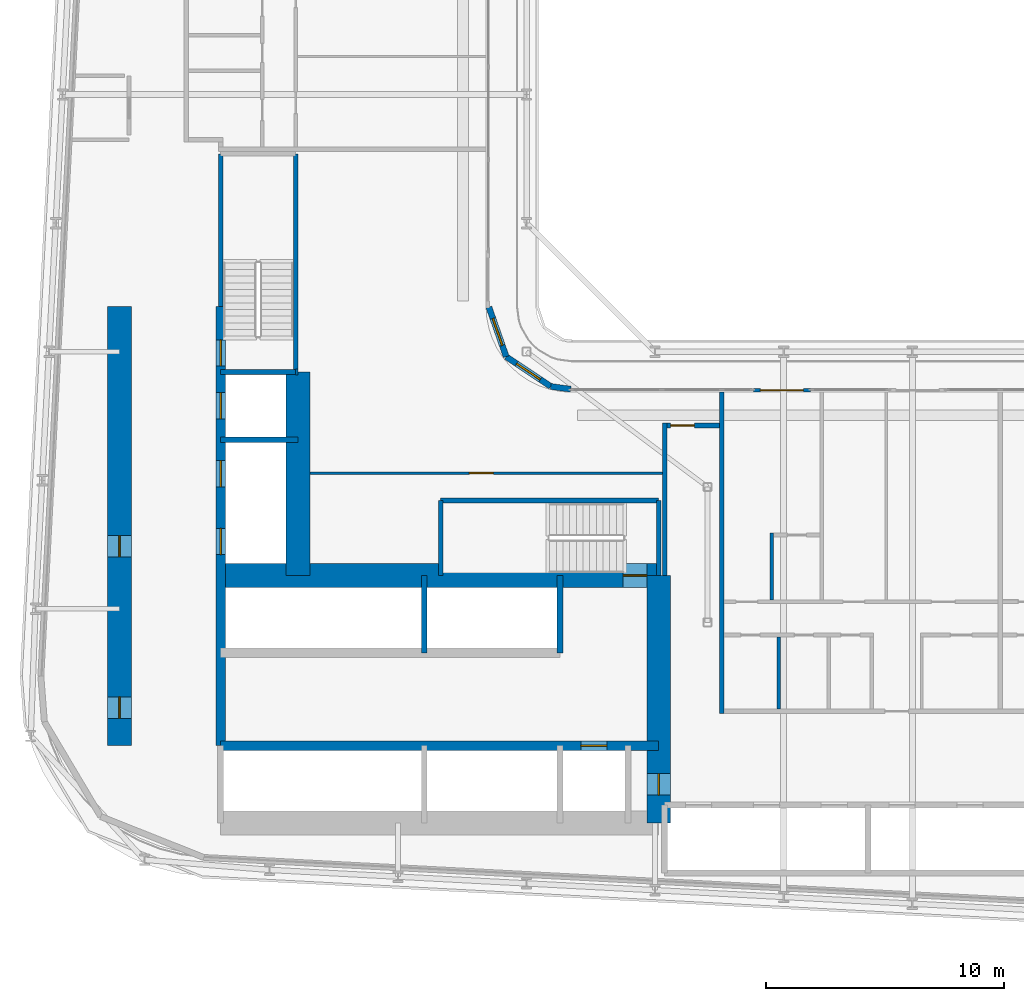
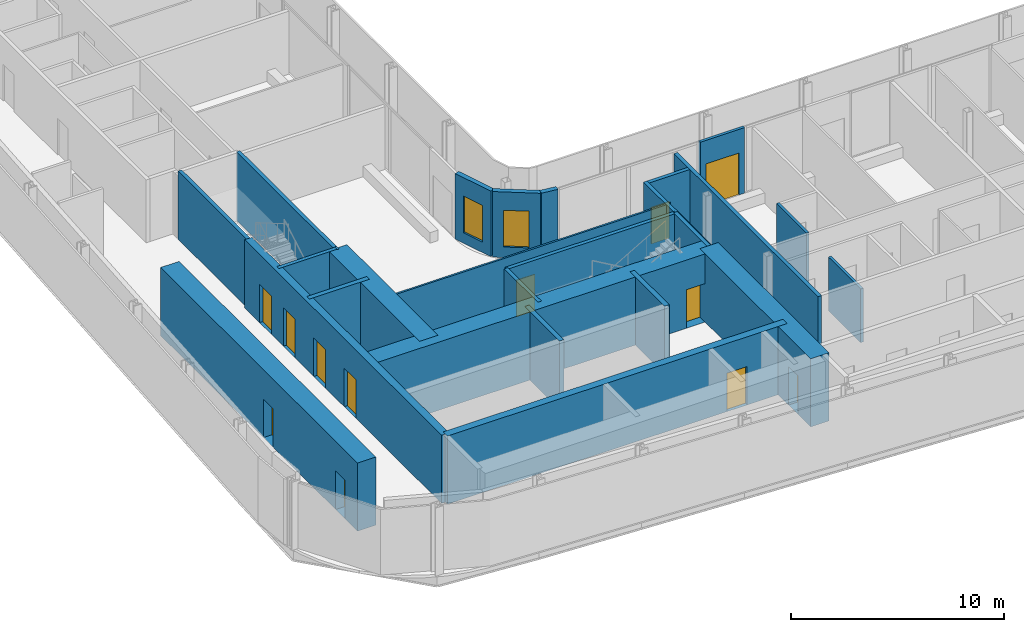
# One storey, part 13 of 28: 26 walls, 12 doors, 2 windows, 14 openings.
"""IFC4 building model written with IfcOpenShell, lengths in metres."""

from ifc_helpers import new_model, si_unit, direction, frame, frame_2d, origin, place, context, subcontext, project, spatial, rectangle, extrude, source, transform, mapped, material, layer, layer_set, type_object, element, fill, save


model = new_model("IFC4")

# Units and contexts
model_context = context("Model", 3, precision=1e-05, world=origin(), true_north=direction((0.0, 1.0)))
body_context = subcontext(model_context, "Body", "Model", "MODEL_VIEW")
ifc_project = project(units=[si_unit("LENGTHUNIT", "METRE"), si_unit("AREAUNIT", "SQUARE_METRE"), si_unit("VOLUMEUNIT", "CUBIC_METRE"), si_unit("PLANEANGLEUNIT", "RADIAN"), si_unit("MASSUNIT", "GRAM", prefix="KILO")], contexts=[model_context])

# Site, building, storey
site_placement = place(None, origin())
site = spatial("IfcSite", under=ifc_project, at=site_placement, CompositionType="ELEMENT")
building_placement = place(site_placement, origin())
building = spatial("IfcBuilding", under=site, at=building_placement, Name="Kheshtan School and Residences Tower", CompositionType="ELEMENT")
storey_placement = place(building_placement, frame((0.0, 0.0, 73.39990234375)))
storey = spatial("IfcBuildingStorey", under=building, at=storey_placement, Name="L17", CompositionType="ELEMENT", Elevation=73.39990234375)

# Wall, opening, door
ifc_material_1 = material(Name="Concrete C80/95", Category="concrete")
ifc_layer_1 = layer(ifc_material_1, 1.0)
ifc_layer_set_1 = layer_set([ifc_layer_1], Name="Core wall 1000 Concrete C80/95")
wall_type_1 = type_object("IfcWallType", Name="Core wall 1000 Concrete C80/95", PredefinedType="SHEAR", material=ifc_layer_set_1)
wall_1_placement = place(storey_placement, frame((34.75, 36.199951171875, 0.0), z_axis=(0.0, 0.0, 1.0), x_axis=(1.0, 0.0, 0.0)))
wall_1 = element("IfcWall", 1, at=wall_1_placement, inside=storey, type_object=wall_type_1, Name="Core wall CW-FRONT-S", PredefinedType="SHEAR", context=body_context, shape_type="SweptSolid", body=[
    extrude(rectangle(XDim=18.39990234375, YDim=1.0, at=frame_2d((9.199951171875, 0.0))), origin(), (0.0, 0.0, 1.0), 3.900146484375),
])
opening_1_placement = place(wall_1_placement, frame((16.89990234375, 0.0, 0.0)))
opening_1 = element("IfcOpeningElement", 2, at=opening_1_placement, cuts=wall_1, Name="Opening ST1D", PredefinedType="OPENING", context=body_context, shape_type="SweptSolid", body=[
    extrude(rectangle(XDim=1.0, YDim=2.199951171875, at=frame_2d((0.5, 1.10009765625))), frame((0.0, 0.510009765625, 0.0), z_axis=(0.0, -1.0, 0.0), x_axis=(1.0, 0.0, 0.0)), (0.0, 0.0, 1.0), 1.02001953125),
])
ifc_material_2 = material(Name="Steel door leaf, galvanised", Category="steel")
door_type_1 = type_object("IfcDoorType", Name="Stair door 1100 steel 90 min", OperationType="SINGLE_SWING_LEFT", PredefinedType="DOOR", material=ifc_material_2)
shared_shape_1 = source(origin(), body_context, "Body", "SweptSolid", [
    extrude(rectangle(XDim=1.0, YDim=2.199951171875, at=frame_2d((0.5, 1.10009765625))), frame((0.0, 0.02490234375, 0.0), z_axis=(0.0, -1.0, 0.0), x_axis=(1.0, 0.0, 0.0)), (0.0, 0.0, 1.0), 0.050048828125),
])
door_1_placement = place(opening_1_placement, origin())
door_1 = element("IfcDoor", 3, at=door_1_placement, inside=storey, type_object=door_type_1, Name="Stair ST1 door", OperationType="SINGLE_SWING_RIGHT", OverallHeight=2.199951171875, OverallWidth=1.0, PredefinedType="DOOR", context=body_context, shape_type="MappedRepresentation", body=[
    mapped(shared_shape_1, transform((0.0, 0.0, 0.0), x_axis=(1.0, 0.0, 0.0), y_axis=(0.0, 1.0, 0.0), z_axis=(0.0, 0.0, 1.0), scale=1.0)),
])
fill(opening_1, door_1)

# Wall
wall_2_placement = place(storey_placement, frame((38.0, 36.199951171875, 0.0), z_axis=(0.0, 0.0, 1.0), x_axis=(0.0, 1.0, 0.0)))
element("IfcWall", 4, at=wall_2_placement, inside=storey, type_object=wall_type_1, Name="Core wall CW-FRONT-W", PredefinedType="SHEAR", context=body_context, shape_type="SweptSolid", body=[
    extrude(rectangle(XDim=8.550048828125, YDim=1.0, at=frame_2d((4.27490234375, 0.0))), origin(), (0.0, 0.0, 1.0), 3.900146484375),
])

# Wall, openings, doors
wall_3_placement = place(storey_placement, frame((30.5, 29.050048828125, 0.0), z_axis=(0.0, 0.0, 1.0), x_axis=(0.0, 1.0, 0.0)))
wall_3 = element("IfcWall", 5, at=wall_3_placement, inside=storey, type_object=wall_type_1, Name="Core wall CW-REAR-W", PredefinedType="SHEAR", context=body_context, shape_type="SweptSolid", body=[
    extrude(rectangle(XDim=18.449951171875, YDim=1.0, at=frame_2d((9.22509765625, 0.0))), origin(), (0.0, 0.0, 1.0), 3.900146484375),
])
opening_2_placement = place(wall_3_placement, frame((1.14697265625, 0.0, 0.0)))
opening_2 = element("IfcOpeningElement", 6, at=opening_2_placement, cuts=wall_3, Name="Opening SR90", PredefinedType="OPENING", context=body_context, shape_type="SweptSolid", body=[
    extrude(rectangle(XDim=0.89990234375, YDim=2.199951171875, at=frame_2d((0.449951171875, 1.10009765625))), frame((0.0, 0.510009765625, 0.0), z_axis=(0.0, -1.0, 0.0), x_axis=(1.0, 0.0, 0.0)), (0.0, 0.0, 1.0), 1.02001953125),
])
opening_3_placement = place(wall_3_placement, frame((7.925048828125, 0.0, 0.0)))
opening_3 = element("IfcOpeningElement", 7, at=opening_3_placement, cuts=wall_3, Name="Opening SR90", PredefinedType="OPENING", context=body_context, shape_type="SweptSolid", body=[
    extrude(rectangle(XDim=0.89990234375, YDim=2.199951171875, at=frame_2d((0.449951171875, 1.10009765625))), frame((0.0, 0.510009765625, 0.0), z_axis=(0.0, -1.0, 0.0), x_axis=(1.0, 0.0, 0.0)), (0.0, 0.0, 1.0), 1.02001953125),
])
door_type_2 = type_object("IfcDoorType", Name="Service room door 900 steel 90 min", OperationType="SINGLE_SWING_LEFT", PredefinedType="DOOR", material=ifc_material_2)
shared_shape_2 = source(origin(), body_context, "Body", "SweptSolid", [
    extrude(rectangle(XDim=0.89990234375, YDim=2.199951171875, at=frame_2d((0.449951171875, 1.10009765625))), frame((0.0, 0.02490234375, 0.0), z_axis=(0.0, -1.0, 0.0), x_axis=(1.0, 0.0, 0.0)), (0.0, 0.0, 1.0), 0.050048828125),
])
door_2_placement = place(opening_2_placement, origin())
door_2 = element("IfcDoor", 8, at=door_2_placement, inside=storey, type_object=door_type_2, Name="Service room door", OperationType="SINGLE_SWING_LEFT", OverallHeight=2.199951171875, OverallWidth=0.89990234375, PredefinedType="DOOR", context=body_context, shape_type="MappedRepresentation", body=[
    mapped(shared_shape_2, transform((0.0, 0.0, 0.0), x_axis=(1.0, 0.0, 0.0), y_axis=(0.0, 1.0, 0.0), z_axis=(0.0, 0.0, 1.0), scale=1.0)),
])
fill(opening_2, door_2)
door_3_placement = place(opening_3_placement, origin())
door_3 = element("IfcDoor", 9, at=door_3_placement, inside=storey, type_object=door_type_2, Name="Service room door", OperationType="SINGLE_SWING_LEFT", OverallHeight=2.199951171875, OverallWidth=0.89990234375, PredefinedType="DOOR", context=body_context, shape_type="MappedRepresentation", body=[
    mapped(shared_shape_2, transform((0.0, 0.0, 0.0), x_axis=(1.0, 0.0, 0.0), y_axis=(0.0, 1.0, 0.0), z_axis=(0.0, 0.0, 1.0), scale=1.0)),
])
fill(opening_3, door_3)

# Wall, opening, door
wall_4_placement = place(storey_placement, frame((53.14990234375, 25.800048828125, 0.0), z_axis=(0.0, 0.0, 1.0), x_axis=(0.0, 1.0, 0.0)))
wall_4 = element("IfcWall", 10, at=wall_4_placement, inside=storey, type_object=wall_type_1, Name="Core wall CW-EAST", PredefinedType="SHEAR", context=body_context, shape_type="SweptSolid", body=[
    extrude(rectangle(XDim=10.39990234375, YDim=1.0, at=frame_2d((5.199951171875, 0.0))), origin(), (0.0, 0.0, 1.0), 3.900146484375),
])
opening_4_placement = place(wall_4_placement, frame((1.175048828125, 0.0, 0.0)))
opening_4 = element("IfcOpeningElement", 11, at=opening_4_placement, cuts=wall_4, Name="Opening SR90", PredefinedType="OPENING", context=body_context, shape_type="SweptSolid", body=[
    extrude(rectangle(XDim=0.89990234375, YDim=2.199951171875, at=frame_2d((0.449951171875, 1.10009765625))), frame((0.0, 0.510009765625, 0.0), z_axis=(0.0, -1.0, 0.0), x_axis=(1.0, 0.0, 0.0)), (0.0, 0.0, 1.0), 1.02001953125),
])
door_4_placement = place(opening_4_placement, origin())
door_4 = element("IfcDoor", 12, at=door_4_placement, inside=storey, type_object=door_type_2, Name="Service room door", OperationType="SINGLE_SWING_RIGHT", OverallHeight=2.199951171875, OverallWidth=0.89990234375, PredefinedType="DOOR", context=body_context, shape_type="MappedRepresentation", body=[
    mapped(shared_shape_2, transform((0.0, 0.0, 0.0), x_axis=(1.0, 0.0, 0.0), y_axis=(0.0, 1.0, 0.0), z_axis=(0.0, 0.0, 1.0), scale=1.0)),
])
fill(opening_4, door_4)

ifc_material_3 = material(Name="Concrete C50/60", Category="concrete")
ifc_layer_2 = layer(ifc_material_3, 0.39990234375)
ifc_layer_set_2 = layer_set([ifc_layer_2], Name="Core wall 400 Concrete C50/60")
wall_type_2 = type_object("IfcWallType", Name="Core wall 400 Concrete C50/60", PredefinedType="SHEAR", material=ifc_layer_set_2)
wall_5_placement = place(storey_placement, frame((34.75, 29.050048828125, 0.0), z_axis=(0.0, 0.0, 1.0), x_axis=(1.0, 0.0, 0.0)))
wall_5 = element("IfcWall", 13, at=wall_5_placement, inside=storey, type_object=wall_type_2, Name="Core wall CW-HALL-S1", PredefinedType="SHEAR", context=body_context, shape_type="SweptSolid", body=[
    extrude(rectangle(XDim=18.39990234375, YDim=0.39990234375, at=frame_2d((9.199951171875, 0.0))), origin(), (0.0, 0.0, 1.0), 3.900146484375),
])
opening_5_placement = place(wall_5_placement, frame((15.125, 0.0, 0.0)))
opening_5 = element("IfcOpeningElement", 14, at=opening_5_placement, cuts=wall_5, Name="Opening LD", PredefinedType="OPENING", context=body_context, shape_type="SweptSolid", body=[
    extrude(rectangle(XDim=1.10009765625, YDim=2.199951171875, at=frame_2d((0.550048828125, 1.10009765625))), frame((0.0, 0.2099609375, 0.0), z_axis=(0.0, -1.0, 0.0), x_axis=(1.0, 0.0, 0.0)), (0.0, 0.0, 1.0), 0.419921875),
])
ifc_material_4 = material(Name="Stainless steel door leaves", Category="steel")
door_type_3 = type_object("IfcDoorType", Name="Lift landing door 1100", OperationType="SLIDING_TO_LEFT", PredefinedType="DOOR", material=ifc_material_4)
shared_shape_3 = source(origin(), body_context, "Body", "SweptSolid", [
    extrude(rectangle(XDim=1.10009765625, YDim=2.199951171875, at=frame_2d((0.550048828125, 1.10009765625))), frame((0.0, 0.02490234375, 0.0), z_axis=(0.0, -1.0, 0.0), x_axis=(1.0, 0.0, 0.0)), (0.0, 0.0, 1.0), 0.050048828125),
])
door_5_placement = place(opening_5_placement, origin())
door_5 = element("IfcDoor", 15, at=door_5_placement, inside=storey, type_object=door_type_3, Name="Lift FFL2 landing door", OperationType="SLIDING_TO_LEFT", OverallHeight=2.199951171875, OverallWidth=1.10009765625, PredefinedType="DOOR", context=body_context, shape_type="MappedRepresentation", body=[
    mapped(shared_shape_3, transform((0.0, 0.0, 0.0), x_axis=(1.0, 0.0, 0.0), y_axis=(0.0, 1.0, 0.0), z_axis=(0.0, 0.0, 1.0), scale=1.0)),
])
fill(opening_5, door_5)

# Wall, openings, doors
wall_6_placement = place(storey_placement, frame((34.75, 29.050048828125, 0.0), z_axis=(0.0, 0.0, 1.0), x_axis=(0.0, 1.0, 0.0)))
wall_6 = element("IfcWall", 16, at=wall_6_placement, inside=storey, type_object=wall_type_2, Name="Core wall CW-HALL-W1", PredefinedType="SHEAR", context=body_context, shape_type="SweptSolid", body=[
    extrude(rectangle(XDim=18.449951171875, YDim=0.39990234375, at=frame_2d((9.22509765625, 0.0))), origin(), (0.0, 0.0, 1.0), 3.900146484375),
])
opening_6_placement = place(wall_6_placement, frame((8.02490234375, 0.0, 0.0)))
opening_6 = element("IfcOpeningElement", 17, at=opening_6_placement, cuts=wall_6, Name="Opening LD", PredefinedType="OPENING", context=body_context, shape_type="SweptSolid", body=[
    extrude(rectangle(XDim=1.10009765625, YDim=2.199951171875, at=frame_2d((0.550048828125, 1.10009765625))), frame((0.0, 0.2099609375, 0.0), z_axis=(0.0, -1.0, 0.0), x_axis=(1.0, 0.0, 0.0)), (0.0, 0.0, 1.0), 0.419921875),
])
opening_7_placement = place(wall_6_placement, frame((10.875, 0.0, 0.0)))
opening_7 = element("IfcOpeningElement", 18, at=opening_7_placement, cuts=wall_6, Name="Opening LD", PredefinedType="OPENING", context=body_context, shape_type="SweptSolid", body=[
    extrude(rectangle(XDim=1.10009765625, YDim=2.199951171875, at=frame_2d((0.550048828125, 1.10009765625))), frame((0.0, 0.2099609375, 0.0), z_axis=(0.0, -1.0, 0.0), x_axis=(1.0, 0.0, 0.0)), (0.0, 0.0, 1.0), 0.419921875),
])
opening_8_placement = place(wall_6_placement, frame((13.72509765625, 0.0, 0.0)))
opening_8 = element("IfcOpeningElement", 19, at=opening_8_placement, cuts=wall_6, Name="Opening LD", PredefinedType="OPENING", context=body_context, shape_type="SweptSolid", body=[
    extrude(rectangle(XDim=1.10009765625, YDim=2.199951171875, at=frame_2d((0.550048828125, 1.10009765625))), frame((0.0, 0.2099609375, 0.0), z_axis=(0.0, -1.0, 0.0), x_axis=(1.0, 0.0, 0.0)), (0.0, 0.0, 1.0), 0.419921875),
])
opening_9_placement = place(wall_6_placement, frame((15.949951171875, 0.0, 0.0)))
opening_9 = element("IfcOpeningElement", 20, at=opening_9_placement, cuts=wall_6, Name="Opening ST2D", PredefinedType="OPENING", context=body_context, shape_type="SweptSolid", body=[
    extrude(rectangle(XDim=1.10009765625, YDim=2.199951171875, at=frame_2d((0.550048828125, 1.10009765625))), frame((0.0, 0.2099609375, 0.0), z_axis=(0.0, -1.0, 0.0), x_axis=(1.0, 0.0, 0.0)), (0.0, 0.0, 1.0), 0.419921875),
])
door_6_placement = place(opening_6_placement, origin())
door_6 = element("IfcDoor", 21, at=door_6_placement, inside=storey, type_object=door_type_3, Name="Lift SV1 landing door", OperationType="SLIDING_TO_LEFT", OverallHeight=2.199951171875, OverallWidth=1.10009765625, PredefinedType="DOOR", context=body_context, shape_type="MappedRepresentation", body=[
    mapped(shared_shape_3, transform((0.0, 0.0, 0.0), x_axis=(1.0, 0.0, 0.0), y_axis=(0.0, 1.0, 0.0), z_axis=(0.0, 0.0, 1.0), scale=1.0)),
])
fill(opening_6, door_6)
door_7_placement = place(opening_7_placement, origin())
door_7 = element("IfcDoor", 22, at=door_7_placement, inside=storey, type_object=door_type_3, Name="Lift SV2 landing door", OperationType="SLIDING_TO_LEFT", OverallHeight=2.199951171875, OverallWidth=1.10009765625, PredefinedType="DOOR", context=body_context, shape_type="MappedRepresentation", body=[
    mapped(shared_shape_3, transform((0.0, 0.0, 0.0), x_axis=(1.0, 0.0, 0.0), y_axis=(0.0, 1.0, 0.0), z_axis=(0.0, 0.0, 1.0), scale=1.0)),
])
fill(opening_7, door_7)
door_8_placement = place(opening_8_placement, origin())
door_8 = element("IfcDoor", 23, at=door_8_placement, inside=storey, type_object=door_type_3, Name="Lift FFL1 landing door", OperationType="SLIDING_TO_LEFT", OverallHeight=2.199951171875, OverallWidth=1.10009765625, PredefinedType="DOOR", context=body_context, shape_type="MappedRepresentation", body=[
    mapped(shared_shape_3, transform((0.0, 0.0, 0.0), x_axis=(1.0, 0.0, 0.0), y_axis=(0.0, 1.0, 0.0), z_axis=(0.0, 0.0, 1.0), scale=1.0)),
])
fill(opening_8, door_8)
shared_shape_4 = source(origin(), body_context, "Body", "SweptSolid", [
    extrude(rectangle(XDim=1.10009765625, YDim=2.199951171875, at=frame_2d((0.550048828125, 1.10009765625))), frame((0.0, 0.02490234375, 0.0), z_axis=(0.0, -1.0, 0.0), x_axis=(1.0, 0.0, 0.0)), (0.0, 0.0, 1.0), 0.050048828125),
])
door_9_placement = place(opening_9_placement, origin())
door_9 = element("IfcDoor", 24, at=door_9_placement, inside=storey, type_object=door_type_1, Name="Stair ST2 door", OperationType="SINGLE_SWING_RIGHT", OverallHeight=2.199951171875, OverallWidth=1.10009765625, PredefinedType="DOOR", context=body_context, shape_type="MappedRepresentation", body=[
    mapped(shared_shape_4, transform((0.0, 0.0, 0.0), x_axis=(1.0, 0.0, 0.0), y_axis=(0.0, 1.0, 0.0), z_axis=(0.0, 0.0, 1.0), scale=1.0)),
])
fill(opening_9, door_9)

# Wall
ifc_material_5 = material(Name="Gypsum board on steel studs with fire boards", Category="steel")
ifc_layer_3 = layer(ifc_material_5, 0.199951171875)
ifc_layer_set_3 = layer_set([ifc_layer_3], Name="Corridor wall 200")
wall_type_3 = type_object("IfcWallType", Name="Corridor wall 200", PredefinedType="PARTITIONING", material=ifc_layer_set_3)
wall_7_placement = place(storey_placement, frame((53.39990234375, 36.198974609375, 0.0), z_axis=(0.0, 0.0, 1.0), x_axis=(0.0, 1.0, 0.0)))
element("IfcWall", 25, at=wall_7_placement, inside=storey, type_object=wall_type_3, Name="Partition L17-044", PredefinedType="PARTITIONING", context=body_context, shape_type="SweptSolid", body=[
    extrude(rectangle(XDim=6.401123046875, YDim=0.199951171875, at=frame_2d((3.20068359375, 0.0))), origin(), (0.0, 0.0, 1.0), 3.60009765625),
])

# Wall, opening, door
wall_8_placement = place(storey_placement, frame((53.5, 42.5, 0.0), z_axis=(0.0, 0.0, 1.0), x_axis=(1.0, 0.0, 0.0)))
wall_8 = element("IfcWall", 26, at=wall_8_placement, inside=storey, type_object=wall_type_3, Name="Partition L17-045", PredefinedType="PARTITIONING", context=body_context, shape_type="SweptSolid", body=[
    extrude(rectangle(XDim=2.199951171875, YDim=0.199951171875, at=frame_2d((1.10009765625, 0.0))), origin(), (0.0, 0.0, 1.0), 3.60009765625),
])
opening_10_placement = place(wall_8_placement, frame((0.14990234375, 0.0, 0.0)))
opening_10 = element("IfcOpeningElement", 27, at=opening_10_placement, cuts=wall_8, Name="Opening D17-067", PredefinedType="OPENING", context=body_context, shape_type="SweptSolid", body=[
    extrude(rectangle(XDim=1.0, YDim=2.10009765625, at=frame_2d((0.5, 1.050048828125))), frame((0.0, 0.10986328125, 0.0), z_axis=(0.0, -1.0, 0.0), x_axis=(1.0, 0.0, 0.0)), (0.0, 0.0, 1.0), 0.219970703125),
])
ifc_material_6 = material(Name="Steel-framed fire-resisting door leaf", Category="steel")
door_type_4 = type_object("IfcDoorType", Name="Fire door FD60 1000 x 2100", OperationType="SINGLE_SWING_LEFT", PredefinedType="DOOR", material=ifc_material_6)
shared_shape_5 = source(origin(), body_context, "Body", "SweptSolid", [
    extrude(rectangle(XDim=1.0, YDim=2.10009765625, at=frame_2d((0.5, 1.050048828125))), frame((0.0, 0.02490234375, 0.0), z_axis=(0.0, -1.0, 0.0), x_axis=(1.0, 0.0, 0.0)), (0.0, 0.0, 1.0), 0.050048828125),
])
door_10_placement = place(opening_10_placement, origin())
door_10 = element("IfcDoor", 28, at=door_10_placement, inside=storey, type_object=door_type_4, Name="Door D17-067", OperationType="SINGLE_SWING_RIGHT", OverallHeight=2.10009765625, OverallWidth=1.0, PredefinedType="DOOR", context=body_context, shape_type="MappedRepresentation", body=[
    mapped(shared_shape_5, transform((0.0, 0.0, 0.0), x_axis=(1.0, 0.0, 0.0), y_axis=(0.0, 1.0, 0.0), z_axis=(0.0, 0.0, 1.0), scale=1.0)),
])
fill(opening_10, door_10)

# Wall, opening, window
ifc_material_7 = material(Name="Concrete C40/50 with ceramic cladding and mineral wool insulation", Category="concrete")
ifc_layer_4 = layer(ifc_material_7, 0.25)
ifc_layer_set_4 = layer_set([ifc_layer_4], Name="External wall 250 ceramic clad")
wall_type_4 = type_object("IfcWallType", Name="External wall 250 ceramic clad", PredefinedType="SOLIDWALL", material=ifc_layer_set_4)
wall_9_placement = place(storey_placement, frame((46.01806640625, 47.470947265625, 0.0), z_axis=(0.0, 0.0, 1.0), x_axis=(0.328791208903, -0.944402637093, 0.0)))
wall_9 = element("IfcWall", 29, at=wall_9_placement, inside=storey, type_object=wall_type_4, Name="External wall L17 9", PredefinedType="SOLIDWALL", context=body_context, shape_type="SweptSolid", body=[
    extrude(rectangle(XDim=2.20458984375, YDim=0.25, at=frame_2d((1.102294921875, 0.0))), origin(), (0.0, 0.0, 1.0), 3.75),
])
opening_11_placement = place(wall_9_placement, frame((0.5029296875, 0.0, 0.60009765625)))
opening_11 = element("IfcOpeningElement", 30, at=opening_11_placement, cuts=wall_9, Name="Opening WN-E", PredefinedType="OPENING", context=body_context, shape_type="SweptSolid", body=[
    extrude(rectangle(XDim=1.199951171875, YDim=2.10009765625, at=frame_2d((0.60009765625, 1.050048828125))), frame((0.0, 0.135009765625, 0.0), z_axis=(0.0, -1.0, 0.0), x_axis=(1.0, 0.0, 0.0)), (0.0, 0.0, 1.0), 0.27001953125),
])
ifc_material_8 = material(Name="Clear low-e glass in thermally broken aluminium frame", Category="aluminium")
window_type = type_object("IfcWindowType", Name="Window WN-E", PartitioningType="SINGLE_PANEL", PredefinedType="WINDOW", material=ifc_material_8)
shared_shape_6 = source(origin(), body_context, "Body", "SweptSolid", [
    extrude(rectangle(XDim=1.199951171875, YDim=2.10009765625, at=frame_2d((0.60009765625, 1.050048828125))), frame((0.0, 0.030029296875, 0.0), z_axis=(0.0, -1.0, 0.0), x_axis=(1.0, 0.0, 0.0)), (0.0, 0.0, 1.0), 0.06005859375),
])
window_1_placement = place(opening_11_placement, origin())
window_1 = element("IfcWindow", 31, at=window_1_placement, inside=storey, type_object=window_type, Name="Window L17 9", OverallHeight=2.10009765625, OverallWidth=1.199951171875, PartitioningType="SINGLE_PANEL", PredefinedType="WINDOW", context=body_context, shape_type="MappedRepresentation", body=[
    mapped(shared_shape_6, transform((0.0, 0.0, 0.0), x_axis=(1.0, 0.0, 0.0), y_axis=(0.0, 1.0, 0.0), z_axis=(0.0, 0.0, 1.0), scale=1.0)),
])
fill(opening_11, window_1)

wall_10_placement = place(storey_placement, frame((46.742919921875, 45.388916015625, 0.0), z_axis=(0.0, 0.0, 1.0), x_axis=(0.831449265529, -0.555600682912, 0.0)))
wall_10 = element("IfcWall", 32, at=wall_10_placement, inside=storey, type_object=wall_type_4, Name="External wall L17 10", PredefinedType="SOLIDWALL", context=body_context, shape_type="SweptSolid", body=[
    extrude(rectangle(XDim=2.25146484375, YDim=0.25, at=frame_2d((1.125732421875, 0.0))), origin(), (0.0, 0.0, 1.0), 3.75),
])
opening_12_placement = place(wall_10_placement, frame((0.52490234375, 0.0, 0.60009765625)))
opening_12 = element("IfcOpeningElement", 33, at=opening_12_placement, cuts=wall_10, Name="Opening WN-E", PredefinedType="OPENING", context=body_context, shape_type="SweptSolid", body=[
    extrude(rectangle(XDim=1.199951171875, YDim=2.10009765625, at=frame_2d((0.60009765625, 1.050048828125))), frame((0.0, 0.135009765625, 0.0), z_axis=(0.0, -1.0, 0.0), x_axis=(1.0, 0.0, 0.0)), (0.0, 0.0, 1.0), 0.27001953125),
])
window_2_placement = place(opening_12_placement, origin())
window_2 = element("IfcWindow", 34, at=window_2_placement, inside=storey, type_object=window_type, Name="Window L17 10", OverallHeight=2.10009765625, OverallWidth=1.199951171875, PartitioningType="SINGLE_PANEL", PredefinedType="WINDOW", context=body_context, shape_type="MappedRepresentation", body=[
    mapped(shared_shape_6, transform((0.0, 0.0, 0.0), x_axis=(1.0, 0.0, 0.0), y_axis=(0.0, 1.0, 0.0), z_axis=(0.0, 0.0, 1.0), scale=1.0)),
])
fill(opening_12, window_2)

# Wall
wall_11_placement = place(storey_placement, frame((48.614990234375, 44.137939453125, 0.0), z_axis=(0.0, 0.0, 1.0), x_axis=(0.990741504246, -0.135761819977, 0.0)))
element("IfcWall", 35, at=wall_11_placement, inside=storey, type_object=wall_type_4, Name="External wall L17 11", PredefinedType="SOLIDWALL", context=body_context, shape_type="SweptSolid", body=[
    extrude(rectangle(XDim=0.83984375, YDim=0.25, at=frame_2d((0.419921875, 0.0))), origin(), (0.0, 0.0, 1.0), 3.75),
])

# Wall, opening, door
ifc_material_9 = material(Name="Aluminium frame wall with insulated infill", Category="aluminium")
ifc_layer_5 = layer(ifc_material_9, 0.14990234375)
ifc_layer_set_5 = layer_set([ifc_layer_5], Name="Glazing frame wall 150")
wall_type_5 = type_object("IfcWallType", Name="Glazing frame wall 150", PredefinedType="SOLIDWALL", material=ifc_layer_set_5)
wall_12_placement = place(storey_placement, frame((57.1240234375, 43.97509765625, 0.0), z_axis=(0.0, 0.0, 1.0), x_axis=(1.0, 0.0, 0.0)))
wall_12 = element("IfcWall", 36, at=wall_12_placement, inside=storey, type_object=wall_type_5, Name="Balcony door wall L17 12.1", PredefinedType="SOLIDWALL", context=body_context, shape_type="SweptSolid", body=[
    extrude(rectangle(XDim=2.39990234375, YDim=0.14990234375, at=frame_2d((1.199951171875, 0.0))), origin(), (0.0, 0.0, 1.0), 3.75),
])
opening_13_placement = place(wall_12_placement, frame((0.300048828125, 0.0, 0.0)))
opening_13 = element("IfcOpeningElement", 37, at=opening_13_placement, cuts=wall_12, Name="Opening BD", PredefinedType="OPENING", context=body_context, shape_type="SweptSolid", body=[
    extrude(rectangle(XDim=1.800048828125, YDim=2.39990234375, at=frame_2d((0.89990234375, 1.199951171875))), frame((0.0, 0.0849609375, 0.0), z_axis=(0.0, -1.0, 0.0), x_axis=(1.0, 0.0, 0.0)), (0.0, 0.0, 1.0), 0.169921875),
])
door_type_5 = type_object("IfcDoorType", Name="Balcony sliding door", OperationType="SLIDING_TO_LEFT", PredefinedType="DOOR", material=ifc_material_8)
shared_shape_7 = source(origin(), body_context, "Body", "SweptSolid", [
    extrude(rectangle(XDim=1.800048828125, YDim=2.39990234375, at=frame_2d((0.89990234375, 1.199951171875))), frame((0.0, 0.02490234375, 0.0), z_axis=(0.0, -1.0, 0.0), x_axis=(1.0, 0.0, 0.0)), (0.0, 0.0, 1.0), 0.050048828125),
])
door_11_placement = place(opening_13_placement, origin())
door_11 = element("IfcDoor", 38, at=door_11_placement, inside=storey, type_object=door_type_5, Name="Balcony door L17 12.1", OperationType="SLIDING_TO_LEFT", OverallHeight=2.39990234375, OverallWidth=1.800048828125, PredefinedType="DOOR", context=body_context, shape_type="MappedRepresentation", body=[
    mapped(shared_shape_7, transform((0.0, 0.0, 0.0), x_axis=(1.0, 0.0, 0.0), y_axis=(0.0, 1.0, 0.0), z_axis=(0.0, 0.0, 1.0), scale=1.0)),
])
fill(opening_13, door_11)

ifc_material_10 = material(Name="Gypsum board on steel studs", Category="steel")
ifc_layer_6 = layer(ifc_material_10, 0.10009765625)
ifc_layer_set_6 = layer_set([ifc_layer_6], Name="Gypsum partition 100")
wall_type_6 = type_object("IfcWallType", Name="Gypsum partition 100", PredefinedType="PARTITIONING", material=ifc_layer_set_6)
wall_13_placement = place(storey_placement, frame((38.4990234375, 40.5, 0.0), z_axis=(0.0, 0.0, 1.0), x_axis=(1.0, 0.0, 0.0)))
wall_13 = element("IfcWall", 39, at=wall_13_placement, inside=storey, type_object=wall_type_6, Name="Partition L17-042", PredefinedType="PARTITIONING", context=body_context, shape_type="SweptSolid", body=[
    extrude(rectangle(XDim=14.801025390625, YDim=0.10009765625, at=frame_2d((7.400390625, 0.0))), origin(), (0.0, 0.0, 1.0), 3.60009765625),
])
opening_14_placement = place(wall_13_placement, frame((6.700927734375, 0.0, 0.0)))
opening_14 = element("IfcOpeningElement", 40, at=opening_14_placement, cuts=wall_13, Name="Opening D17-066", PredefinedType="OPENING", context=body_context, shape_type="SweptSolid", body=[
    extrude(rectangle(XDim=1.0, YDim=2.10009765625, at=frame_2d((0.5, 1.050048828125))), frame((0.0, 0.06005859375, 0.0), z_axis=(0.0, -1.0, 0.0), x_axis=(1.0, 0.0, 0.0)), (0.0, 0.0, 1.0), 0.1201171875),
])
ifc_material_11 = material(Name="Veneered timber door leaf", Category="wood")
door_type_6 = type_object("IfcDoorType", Name="Door 1000 x 2100", OperationType="SINGLE_SWING_LEFT", PredefinedType="DOOR", material=ifc_material_11)
shared_shape_8 = source(origin(), body_context, "Body", "SweptSolid", [
    extrude(rectangle(XDim=1.0, YDim=2.10009765625, at=frame_2d((0.5, 1.050048828125))), frame((0.0, 0.02490234375, 0.0), z_axis=(0.0, -1.0, 0.0), x_axis=(1.0, 0.0, 0.0)), (0.0, 0.0, 1.0), 0.050048828125),
])
door_12_placement = place(opening_14_placement, origin())
door_12 = element("IfcDoor", 41, at=door_12_placement, inside=storey, type_object=door_type_6, Name="Door D17-066", OperationType="SINGLE_SWING_RIGHT", OverallHeight=2.10009765625, OverallWidth=1.0, PredefinedType="DOOR", context=body_context, shape_type="MappedRepresentation", body=[
    mapped(shared_shape_8, transform((0.0, 0.0, 0.0), x_axis=(1.0, 0.0, 0.0), y_axis=(0.0, 1.0, 0.0), z_axis=(0.0, 0.0, 1.0), scale=1.0)),
])
fill(opening_14, door_12)

# Walls
ifc_material_12 = material(Name="Fire-board shaft wall system")
ifc_layer_7 = layer(ifc_material_12, 0.25)
ifc_layer_set_7 = layer_set([ifc_layer_7], Name="Shaft lining wall 250")
wall_type_7 = type_object("IfcWallType", Name="Shaft lining wall 250", PredefinedType="PARTITIONING", material=ifc_layer_set_7)
for number, where, z_axis, x_axis, name in (
    (42, (43.300048828125, 32.949951171875, 0.0), (0.0, 0.0, 1.0), (0.0, 1.0, 0.0), "Shaft lining wall"),
    (43, (49.0, 32.949951171875, 0.0), (0.0, 0.0, 1.0), (0.0, 1.0, 0.0), "Shaft lining wall"),
    (44, (34.75, 41.89990234375, 0.0), (0.0, 0.0, 1.0), (1.0, 0.0, 0.0), "Shaft lining wall"),
):
    element("IfcWall", number, at=place(storey_placement, frame(where, z_axis=z_axis, x_axis=x_axis)), inside=storey, type_object=wall_type_7, Name=name, PredefinedType="PARTITIONING", context=body_context, shape_type="SweptSolid", body=[
        extrude(rectangle(XDim=3.25, YDim=0.25, at=frame_2d((1.625, 0.0))), origin(), (0.0, 0.0, 1.0), 3.900146484375),
    ])
wall_14_placement = place(storey_placement, frame((37.89990234375, 44.75, 0.0), z_axis=(0.0, 0.0, 1.0), x_axis=(1.0, 0.0, 0.0)))
element("IfcWall", 45, at=wall_14_placement, inside=storey, type_object=wall_type_7, Name="Shaft lining wall", PredefinedType="PARTITIONING", context=body_context, shape_type="SweptSolid", body=[
    extrude(rectangle(XDim=0.10009765625, YDim=0.25, at=frame_2d((0.050048828125, 0.0))), origin(), (0.0, 0.0, 1.0), 3.900146484375),
])
ifc_material_13 = material(Name="Concrete C40/50", Category="concrete")
ifc_layer_8 = layer(ifc_material_13, 0.199951171875)
ifc_layer_set_8 = layer_set([ifc_layer_8], Name="Stair enclosure wall 200 Concrete C40/50")
wall_type_8 = type_object("IfcWallType", Name="Stair enclosure wall 200 Concrete C40/50", PredefinedType="SHEAR", material=ifc_layer_set_8)
wall_15_placement = place(storey_placement, frame((43.989990234375, 39.35009765625, 0.0), z_axis=(0.0, 0.0, 1.0), x_axis=(1.0, 0.0, 0.0)))
element("IfcWall", 46, at=wall_15_placement, inside=storey, type_object=wall_type_8, Name="Stair enclosure wall ST1", PredefinedType="SHEAR", context=body_context, shape_type="SweptSolid", body=[
    extrude(rectangle(XDim=9.159912109375, YDim=0.199951171875, at=frame_2d((4.580078125, 0.0))), origin(), (0.0, 0.0, 1.0), 3.900146484375),
])
for number, where, z_axis, x_axis, name in (
    (47, (43.989990234375, 36.199951171875, 0.0), (0.0, 0.0, 1.0), (0.0, 1.0, 0.0), "Stair enclosure wall ST1"),
    (48, (53.14990234375, 36.199951171875, 0.0), (0.0, 0.0, 1.0), (0.0, 1.0, 0.0), "Stair enclosure wall ST1"),
):
    element("IfcWall", number, at=place(storey_placement, frame(where, z_axis=z_axis, x_axis=x_axis)), inside=storey, type_object=wall_type_8, Name=name, PredefinedType="SHEAR", context=body_context, shape_type="SweptSolid", body=[
        extrude(rectangle(XDim=3.150146484375, YDim=0.199951171875, at=frame_2d((1.5751953125, 0.0))), origin(), (0.0, 0.0, 1.0), 3.900146484375),
    ])
wall_16_placement = place(storey_placement, frame((34.75, 44.75, 0.0), z_axis=(0.0, 0.0, 1.0), x_axis=(1.0, 0.0, 0.0)))
element("IfcWall", 49, at=wall_16_placement, inside=storey, type_object=wall_type_8, Name="Stair enclosure wall ST2", PredefinedType="SHEAR", context=body_context, shape_type="SweptSolid", body=[
    extrude(rectangle(XDim=3.14990234375, YDim=0.199951171875, at=frame_2d((1.574951171875, 0.0))), origin(), (0.0, 0.0, 1.0), 3.900146484375),
])
wall_17_placement = place(storey_placement, frame((34.75, 47.5, 0.0), z_axis=(0.0, 0.0, 1.0), x_axis=(0.0, 1.0, 0.0)))
element("IfcWall", 50, at=wall_17_placement, inside=storey, type_object=wall_type_8, Name="Stair enclosure wall ST2", PredefinedType="SHEAR", context=body_context, shape_type="SweptSolid", body=[
    extrude(rectangle(XDim=6.409912109375, YDim=0.199951171875, at=frame_2d((3.205078125, 0.0))), origin(), (0.0, 0.0, 1.0), 3.900146484375),
])
wall_18_placement = place(storey_placement, frame((37.89990234375, 44.75, 0.0), z_axis=(0.0, 0.0, 1.0), x_axis=(0.0, 1.0, 0.0)))
element("IfcWall", 51, at=wall_18_placement, inside=storey, type_object=wall_type_8, Name="Stair enclosure wall ST2", PredefinedType="SHEAR", context=body_context, shape_type="SweptSolid", body=[
    extrude(rectangle(XDim=9.159912109375, YDim=0.199951171875, at=frame_2d((4.580078125, 0.0))), origin(), (0.0, 0.0, 1.0), 3.900146484375),
])
ifc_material_14 = material(Name="Twin gypsum board on steel studs with mineral wool", Category="steel")
ifc_layer_9 = layer(ifc_material_14, 0.199951171875)
ifc_layer_set_9 = layer_set([ifc_layer_9], Name="Unit demising wall 200")
wall_type_9 = type_object("IfcWallType", Name="Unit demising wall 200", PredefinedType="PARTITIONING", material=ifc_layer_set_9)
wall_19_placement = place(storey_placement, frame((55.800048828125, 30.39990234375, 0.0), z_axis=(0.0, 0.0, 1.0), x_axis=(0.0, 1.0, 0.0)))
element("IfcWall", 52, at=wall_19_placement, inside=storey, type_object=wall_type_9, Name="Partition L17-046", PredefinedType="PARTITIONING", context=body_context, shape_type="SweptSolid", body=[
    extrude(rectangle(XDim=13.5, YDim=0.199951171875, at=frame_2d((6.75, 0.0))), origin(), (0.0, 0.0, 1.0), 3.60009765625),
])
ifc_material_15 = material(Name="Moisture-resistant gypsum board on steel studs", Category="steel")
ifc_layer_10 = layer(ifc_material_15, 0.14990234375)
ifc_layer_set_10 = layer_set([ifc_layer_10], Name="Wet-room partition 150")
wall_type_10 = type_object("IfcWallType", Name="Wet-room partition 150", PredefinedType="PARTITIONING", material=ifc_layer_set_10)
wall_20_placement = place(storey_placement, frame((57.89990234375, 35.175048828125, 0.0), z_axis=(0.0, 0.0, 1.0), x_axis=(0.0, 1.0, 0.0)))
element("IfcWall", 53, at=wall_20_placement, inside=storey, type_object=wall_type_10, Name="Partition L17-050", PredefinedType="PARTITIONING", context=body_context, shape_type="SweptSolid", body=[
    extrude(rectangle(XDim=2.800048828125, YDim=0.14990234375, at=frame_2d((1.39990234375, 0.0))), origin(), (0.0, 0.0, 1.0), 3.60009765625),
])
wall_21_placement = place(storey_placement, frame((58.199951171875, 30.60009765625, 0.0), z_axis=(0.0, 0.0, 1.0), x_axis=(0.0, 1.0, 0.0)))
element("IfcWall", 54, at=wall_21_placement, inside=storey, type_object=wall_type_10, Name="Partition L17-052", PredefinedType="PARTITIONING", context=body_context, shape_type="SweptSolid", body=[
    extrude(rectangle(XDim=3.02490234375, YDim=0.14990234375, at=frame_2d((1.512451171875, 0.0))), origin(), (0.0, 0.0, 1.0), 3.072021484375),
])

save(model, "model.ifc")
